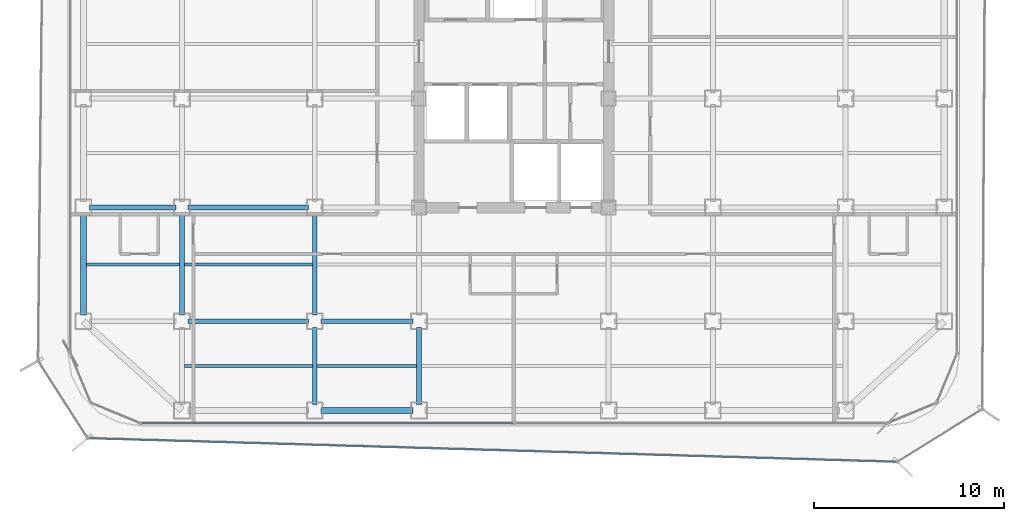
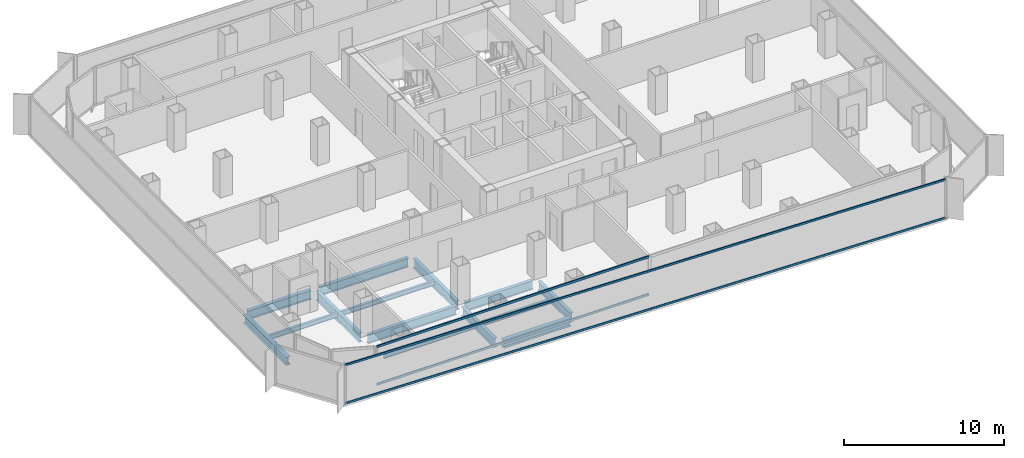
# One storey, part 3 of 21: 14 beams, 4 members, 2 elements without a shape of their own.
"""IFC4 building model written with IfcOpenShell, lengths in metres."""

from ifc_helpers import new_model, si_unit, direction, frame, origin, origin_2d, place, context, subcontext, project, spatial, hollow_rectangle, i_section, extrude, source, transform, mapped, material, layer, layer_set, material_profile, profile_set, type_object, element, aggregate, save


model = new_model("IFC4")

# Units and contexts
model_context = context("Model", 3, precision=1e-05, world=origin(), true_north=direction((0.0, 1.0)))
body_context = subcontext(model_context, "Body", "Model", "MODEL_VIEW")
ifc_project = project(units=[si_unit("LENGTHUNIT", "METRE"), si_unit("AREAUNIT", "SQUARE_METRE"), si_unit("VOLUMEUNIT", "CUBIC_METRE"), si_unit("PLANEANGLEUNIT", "RADIAN"), si_unit("MASSUNIT", "GRAM", prefix="KILO")], contexts=[model_context])

# Site, building, storey
site_placement = place(None, origin())
site = spatial("IfcSite", under=ifc_project, at=site_placement, CompositionType="ELEMENT")
building_placement = place(site_placement, origin())
building = spatial("IfcBuilding", under=site, at=building_placement, Name="Kolveth Station Tower", CompositionType="ELEMENT")
storey_placement = place(building_placement, frame((0.0, 0.0, 131.10009765625)))
storey = spatial("IfcBuildingStorey", under=building, at=storey_placement, Name="L36", CompositionType="ELEMENT", Elevation=131.10009765625)

# Beams
ifc_material_1 = material(Name="Steel S355", Category="steel")
ifc_material_profile_1 = material_profile(ifc_material_1, i_section(OverallWidth=0.323974609375, OverallDepth=0.611083984375, WebThickness=0.0126953125, FlangeThickness=0.01904296875, at=origin_2d()), Name="W610x155")
ifc_profile_set_1 = profile_set([ifc_material_profile_1], Name="Steel S355")
beam_type_1 = type_object("IfcBeamType", Name="Beam_SP2", PredefinedType="SPANDREL", material=ifc_profile_set_1)
shared_shape_1 = source(origin(), body_context, "Body", "SweptSolid", [
    extrude(i_section(OverallWidth=0.323974609375, OverallDepth=0.611083984375, WebThickness=0.0126953125, FlangeThickness=0.01904296875, at=origin_2d()), origin(), (0.0, 0.0, 1.0), 4.85986328125),
])
beam_1_placement = place(storey_placement, frame((13.320068359375, 0.800048828125, -0.5556640625), z_axis=(1.0, 0.0, 0.0), x_axis=(0.0, 1.0, 0.0)))
element("IfcBeam", 1, at=beam_1_placement, inside=storey, type_object=beam_type_1, Name="L36 Perimeter Spandrel BM-L36-PS-2", PredefinedType="SPANDREL", context=body_context, shape_type="MappedRepresentation", body=[
    mapped(shared_shape_1, transform((0.0, 0.0, 0.0), x_axis=(1.0, 0.0, 0.0), y_axis=(0.0, 1.0, 0.0), z_axis=(0.0, 0.0, 1.0), scale=1.0)),
])
shared_shape_2 = source(origin(), body_context, "Body", "SweptSolid", [
    extrude(i_section(OverallWidth=0.323974609375, OverallDepth=0.611083984375, WebThickness=0.0126953125, FlangeThickness=0.01904296875, at=origin_2d()), origin(), (0.0, 0.0, 1.0), 5.35986328125),
])
beam_2_placement = place(storey_placement, frame((0.800048828125, 5.820068359375, -0.5556640625), z_axis=(0.0, 1.0, 0.0), x_axis=(-1.0, 0.0, 0.0)))
element("IfcBeam", 2, at=beam_2_placement, inside=storey, type_object=beam_type_1, Name="L36 Perimeter Spandrel BM-L36-PW-1", PredefinedType="SPANDREL", context=body_context, shape_type="MappedRepresentation", body=[
    mapped(shared_shape_2, transform((0.0, 0.0, 0.0), x_axis=(1.0, 0.0, 0.0), y_axis=(0.0, 1.0, 0.0), z_axis=(0.0, 0.0, 1.0), scale=1.0)),
])
ifc_material_profile_2 = material_profile(ifc_material_1, i_section(OverallWidth=0.25390625, OverallDepth=0.68798828125, WebThickness=0.01318359375, FlangeThickness=0.02099609375, at=origin_2d()), Name="W690x152")
ifc_profile_set_2 = profile_set([ifc_material_profile_2], Name="Steel S355")
beam_type_2 = type_object("IfcBeamType", Name="Beam_B4", PredefinedType="BEAM", material=ifc_profile_set_2)
shared_shape_3 = source(origin(), body_context, "Body", "SweptSolid", [
    extrude(i_section(OverallWidth=0.25390625, OverallDepth=0.68798828125, WebThickness=0.01318359375, FlangeThickness=0.02099609375, at=origin_2d()), origin(), (0.0, 0.0, 1.0), 4.559814453125),
])
beam_3_placement = place(storey_placement, frame((1.1201171875, 11.5, -0.593994140625), z_axis=(1.0, 0.0, 0.0), x_axis=(0.0, 1.0, 0.0)))
element("IfcBeam", 3, at=beam_3_placement, inside=storey, type_object=beam_type_2, Name="L36 Primary Girder BM-L36-GY115-1", PredefinedType="BEAM", context=body_context, shape_type="MappedRepresentation", body=[
    mapped(shared_shape_3, transform((0.0, 0.0, 0.0), x_axis=(1.0, 0.0, 0.0), y_axis=(0.0, 1.0, 0.0), z_axis=(0.0, 0.0, 1.0), scale=1.0)),
])
shared_shape_4 = source(origin(), body_context, "Body", "SweptSolid", [
    extrude(i_section(OverallWidth=0.25390625, OverallDepth=0.68798828125, WebThickness=0.01318359375, FlangeThickness=0.02099609375, at=origin_2d()), origin(), (0.0, 0.0, 1.0), 6.35986328125),
])
for number, where, z_axis, x_axis, name in (
    (4, (6.320068359375, 5.5, -0.593994140625), (1.0, 0.0, 0.0), (0.0, 1.0, 0.0), "L36 Primary Girder BM-L36-GY55-2"),
    (5, (6.320068359375, 11.5, -0.593994140625), (1.0, 0.0, 0.0), (0.0, 1.0, 0.0), "L36 Primary Girder BM-L36-GY115-2"),
):
    element("IfcBeam", number, at=place(storey_placement, frame(where, z_axis=z_axis, x_axis=x_axis)), inside=storey, type_object=beam_type_2, Name=name, PredefinedType="BEAM", context=body_context, shape_type="MappedRepresentation", body=[
        mapped(shared_shape_4, transform((0.0, 0.0, 0.0), x_axis=(1.0, 0.0, 0.0), y_axis=(0.0, 1.0, 0.0), z_axis=(0.0, 0.0, 1.0), scale=1.0)),
    ])
shared_shape_5 = source(origin(), body_context, "Body", "SweptSolid", [
    extrude(i_section(OverallWidth=0.25390625, OverallDepth=0.68798828125, WebThickness=0.01318359375, FlangeThickness=0.02099609375, at=origin_2d()), origin(), (0.0, 0.0, 1.0), 4.85986328125),
])
beam_4_placement = place(storey_placement, frame((13.320068359375, 5.5, -0.593994140625), z_axis=(1.0, 0.0, 0.0), x_axis=(0.0, 1.0, 0.0)))
element("IfcBeam", 6, at=beam_4_placement, inside=storey, type_object=beam_type_2, Name="L36 Primary Girder BM-L36-GY55-3", PredefinedType="BEAM", context=body_context, shape_type="MappedRepresentation", body=[
    mapped(shared_shape_5, transform((0.0, 0.0, 0.0), x_axis=(1.0, 0.0, 0.0), y_axis=(0.0, 1.0, 0.0), z_axis=(0.0, 0.0, 1.0), scale=1.0)),
])
shared_shape_6 = source(origin(), body_context, "Body", "SweptSolid", [
    extrude(i_section(OverallWidth=0.25390625, OverallDepth=0.68798828125, WebThickness=0.01318359375, FlangeThickness=0.02099609375, at=origin_2d()), origin(), (0.0, 0.0, 1.0), 4.059814453125),
])
for number, where, z_axis, x_axis, name in (
    (7, (13.0, 1.1201171875, -0.593994140625), (0.0, 1.0, 0.0), (-1.0, 0.0, 0.0), "L36 Primary Girder BM-L36-GX130-1"),
    (8, (18.5, 1.1201171875, -0.593994140625), (0.0, 1.0, 0.0), (-1.0, 0.0, 0.0), "L36 Primary Girder BM-L36-GX185-1"),
):
    element("IfcBeam", number, at=place(storey_placement, frame(where, z_axis=z_axis, x_axis=x_axis)), inside=storey, type_object=beam_type_2, Name=name, PredefinedType="BEAM", context=body_context, shape_type="MappedRepresentation", body=[
        mapped(shared_shape_6, transform((0.0, 0.0, 0.0), x_axis=(1.0, 0.0, 0.0), y_axis=(0.0, 1.0, 0.0), z_axis=(0.0, 0.0, 1.0), scale=1.0)),
    ])
shared_shape_7 = source(origin(), body_context, "Body", "SweptSolid", [
    extrude(i_section(OverallWidth=0.25390625, OverallDepth=0.68798828125, WebThickness=0.01318359375, FlangeThickness=0.02099609375, at=origin_2d()), origin(), (0.0, 0.0, 1.0), 5.35986328125),
])
for number, where, z_axis, x_axis, name in (
    (9, (6.0, 5.820068359375, -0.593994140625), (0.0, 1.0, 0.0), (-1.0, 0.0, 0.0), "L36 Primary Girder BM-L36-GX60-2"),
    (10, (13.0, 5.820068359375, -0.593994140625), (0.0, 1.0, 0.0), (-1.0, 0.0, 0.0), "L36 Primary Girder BM-L36-GX130-2"),
):
    element("IfcBeam", number, at=place(storey_placement, frame(where, z_axis=z_axis, x_axis=x_axis)), inside=storey, type_object=beam_type_2, Name=name, PredefinedType="BEAM", context=body_context, shape_type="MappedRepresentation", body=[
        mapped(shared_shape_7, transform((0.0, 0.0, 0.0), x_axis=(1.0, 0.0, 0.0), y_axis=(0.0, 1.0, 0.0), z_axis=(0.0, 0.0, 1.0), scale=1.0)),
    ])
ifc_material_profile_3 = material_profile(ifc_material_1, i_section(OverallWidth=0.1708984375, OverallDepth=0.35205078125, WebThickness=0.0068359375, FlangeThickness=0.009765625, at=origin_2d()), Name="W360x44")
ifc_profile_set_3 = profile_set([ifc_material_profile_3], Name="Steel S355")
beam_type_3 = type_object("IfcBeamType", Name="Beam_J2", PredefinedType="JOIST", material=ifc_profile_set_3)
shared_shape_8 = source(origin(), body_context, "Body", "SweptSolid", [
    extrude(i_section(OverallWidth=0.1708984375, OverallDepth=0.35205078125, WebThickness=0.0068359375, FlangeThickness=0.009765625, at=origin_2d()), origin(), (0.0, 0.0, 1.0), 4.9150390625),
])
beam_5_placement = place(storey_placement, frame((0.9599609375, 8.5, -0.426025390625), z_axis=(1.0, 0.0, 0.0), x_axis=(0.0, 1.0, 0.0)))
element("IfcBeam", 11, at=beam_5_placement, inside=storey, type_object=beam_type_3, Name="L36 Secondary Joist JST-L36-1-2", PredefinedType="JOIST", context=body_context, shape_type="MappedRepresentation", body=[
    mapped(shared_shape_8, transform((0.0, 0.0, 0.0), x_axis=(1.0, 0.0, 0.0), y_axis=(0.0, 1.0, 0.0), z_axis=(0.0, 0.0, 1.0), scale=1.0)),
])
shared_shape_9 = source(origin(), body_context, "Body", "SweptSolid", [
    extrude(i_section(OverallWidth=0.1708984375, OverallDepth=0.35205078125, WebThickness=0.0068359375, FlangeThickness=0.009765625, at=origin_2d()), origin(), (0.0, 0.0, 1.0), 6.75),
])
for number, where, z_axis, x_axis, name in (
    (12, (6.125, 3.14990234375, -0.426025390625), (1.0, 0.0, 0.0), (0.0, 1.0, 0.0), "L36 Secondary Joist JST-L36-2-1"),
    (13, (6.125, 8.5, -0.426025390625), (1.0, 0.0, 0.0), (0.0, 1.0, 0.0), "L36 Secondary Joist JST-L36-2-2"),
):
    element("IfcBeam", number, at=place(storey_placement, frame(where, z_axis=z_axis, x_axis=x_axis)), inside=storey, type_object=beam_type_3, Name=name, PredefinedType="JOIST", context=body_context, shape_type="MappedRepresentation", body=[
        mapped(shared_shape_9, transform((0.0, 0.0, 0.0), x_axis=(1.0, 0.0, 0.0), y_axis=(0.0, 1.0, 0.0), z_axis=(0.0, 0.0, 1.0), scale=1.0)),
    ])
shared_shape_10 = source(origin(), body_context, "Body", "SweptSolid", [
    extrude(i_section(OverallWidth=0.1708984375, OverallDepth=0.35205078125, WebThickness=0.0068359375, FlangeThickness=0.009765625, at=origin_2d()), origin(), (0.0, 0.0, 1.0), 5.25),
])
beam_6_placement = place(storey_placement, frame((13.125, 3.14990234375, -0.426025390625), z_axis=(1.0, 0.0, 0.0), x_axis=(0.0, 1.0, 0.0)))
element("IfcBeam", 14, at=beam_6_placement, inside=storey, type_object=beam_type_3, Name="L36 Secondary Joist JST-L36-3-1", PredefinedType="JOIST", context=body_context, shape_type="MappedRepresentation", body=[
    mapped(shared_shape_10, transform((0.0, 0.0, 0.0), x_axis=(1.0, 0.0, 0.0), y_axis=(0.0, 1.0, 0.0), z_axis=(0.0, 0.0, 1.0), scale=1.0)),
])

# Curtain wall, members
ifc_material_2 = material(Name="Aluminium 6063-T6 and low-E dark glass", Category="aluminium")
ifc_layer_1 = layer(ifc_material_2, 0.18994140625)
ifc_layer_set_1 = layer_set([ifc_layer_1], Name="Aluminium 6063-T6 and low-E dark glass")
curtain_wall_type_1 = type_object("IfcCurtainWallType", Name="CurtainWall_CW-Z2", PredefinedType="NOTDEFINED", material=ifc_layer_set_1)
curtain_wall_1_placement = place(storey_placement, origin())
curtain_wall_1 = element("IfcCurtainWall", 15, at=curtain_wall_1_placement, inside=storey, type_object=curtain_wall_type_1, Name="L36 Inner Thermal Curtain Wall 12", PredefinedType="NOTDEFINED")
ifc_material_3 = material(Name="Black anodized aluminium 6063-T6", Category="aluminium")
ifc_material_profile_4 = material_profile(ifc_material_3, hollow_rectangle(XDim=0.080078125, YDim=0.169921875, WallThickness=0.0048828125, at=origin_2d()), Name="ALU-80x170x5")
ifc_profile_set_4 = profile_set([ifc_material_profile_4], Name="Black anodized aluminium 6063-T6")
member_type_1 = type_object("IfcMemberType", Name="Transom_TR2", PredefinedType="USERDEFINED", material=ifc_profile_set_4)
shared_shape_11 = source(origin(), body_context, "Body", "SweptSolid", [
    extrude(hollow_rectangle(XDim=0.080078125, YDim=0.169921875, WallThickness=0.0048828125, at=origin_2d()), origin(), (0.0, 0.0, 1.0), 19.580078125),
])
member_1_placement = place(storey_placement, frame((3.8798828125, 0.1201171875, 0.039794921875), z_axis=(1.0, 0.0, 0.0), x_axis=(0.0, 1.0, 0.0)))
member_1 = element("IfcMember", 16, at=member_1_placement, type_object=member_type_1, Name="CW-Z2 transom 1.1", ObjectType="TRANSOM", PredefinedType="USERDEFINED", context=body_context, shape_type="MappedRepresentation", body=[
    mapped(shared_shape_11, transform((0.0, 0.0, 0.0), x_axis=(1.0, 0.0, 0.0), y_axis=(0.0, 1.0, 0.0), z_axis=(0.0, 0.0, 1.0), scale=1.0)),
])
member_2_placement = place(storey_placement, frame((3.8798828125, 0.1201171875, 2.909912109375), z_axis=(1.0, 0.0, 0.0), x_axis=(0.0, 1.0, 0.0)))
member_2 = element("IfcMember", 17, at=member_2_placement, type_object=member_type_1, Name="CW-Z2 transom 1.2", ObjectType="TRANSOM", PredefinedType="USERDEFINED", context=body_context, shape_type="MappedRepresentation", body=[
    mapped(shared_shape_11, transform((0.0, 0.0, 0.0), x_axis=(1.0, 0.0, 0.0), y_axis=(0.0, 1.0, 0.0), z_axis=(0.0, 0.0, 1.0), scale=1.0)),
])
aggregate(curtain_wall_1, [member_1, member_2])

ifc_material_4 = material(Name="Black anodized aluminium 6063-T6 and dark solar glass", Category="aluminium")
ifc_layer_2 = layer(ifc_material_4, 0.159912109375)
ifc_layer_set_2 = layer_set([ifc_layer_2], Name="Black anodized aluminium 6063-T6 and dark solar glass")
curtain_wall_type_2 = type_object("IfcCurtainWallType", Name="OUTER SKIN CW-OS", PredefinedType="NOTDEFINED", material=ifc_layer_set_2)
curtain_wall_2_placement = place(storey_placement, origin())
curtain_wall_2 = element("IfcCurtainWall", 18, at=curtain_wall_2_placement, inside=storey, type_object=curtain_wall_type_2, Name="L36 Outer Ventilated Skin Curtain Wall 8", PredefinedType="NOTDEFINED")
ifc_material_profile_5 = material_profile(ifc_material_3, hollow_rectangle(XDim=0.080078125, YDim=0.14990234375, WallThickness=0.0048828125, at=origin_2d()), Name="ALU-80x150x5")
ifc_profile_set_5 = profile_set([ifc_material_profile_5], Name="Black anodized aluminium 6063-T6")
member_type_2 = type_object("IfcMemberType", Name="Transom_TR-OS", PredefinedType="USERDEFINED", material=ifc_profile_set_5)
shared_shape_12 = source(origin(), body_context, "Body", "SweptSolid", [
    extrude(hollow_rectangle(XDim=0.080078125, YDim=0.14990234375, WallThickness=0.0048828125, at=origin_2d()), origin(), (0.0, 0.0, 1.0), 42.534423828125),
])
member_3_placement = place(storey_placement, frame((1.1279296875, -0.6669921875, 0.039794921875), z_axis=(0.999572627194, -0.029232908923, 0.0), x_axis=(0.029232908923, 0.999572627194, 0.0)))
member_3 = element("IfcMember", 19, at=member_3_placement, type_object=member_type_2, Name="CW-OS transom 1.1", ObjectType="TRANSOM", PredefinedType="USERDEFINED", context=body_context, shape_type="MappedRepresentation", body=[
    mapped(shared_shape_12, transform((0.0, 0.0, 0.0), x_axis=(1.0, 0.0, 0.0), y_axis=(0.0, 1.0, 0.0), z_axis=(0.0, 0.0, 1.0), scale=1.0)),
])
member_4_placement = place(storey_placement, frame((1.1279296875, -0.6669921875, 2.949951171875), z_axis=(0.999572627194, -0.029232908923, 0.0), x_axis=(0.029232908923, 0.999572627194, 0.0)))
member_4 = element("IfcMember", 20, at=member_4_placement, type_object=member_type_2, Name="CW-OS transom 1.2", ObjectType="TRANSOM", PredefinedType="USERDEFINED", context=body_context, shape_type="MappedRepresentation", body=[
    mapped(shared_shape_12, transform((0.0, 0.0, 0.0), x_axis=(1.0, 0.0, 0.0), y_axis=(0.0, 1.0, 0.0), z_axis=(0.0, 0.0, 1.0), scale=1.0)),
])
aggregate(curtain_wall_2, [member_3, member_4])

save(model, "model.ifc")
